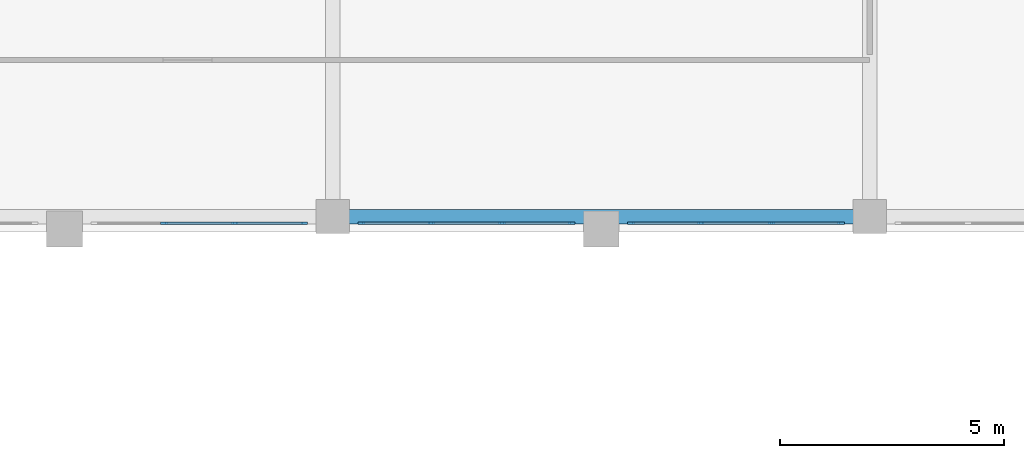
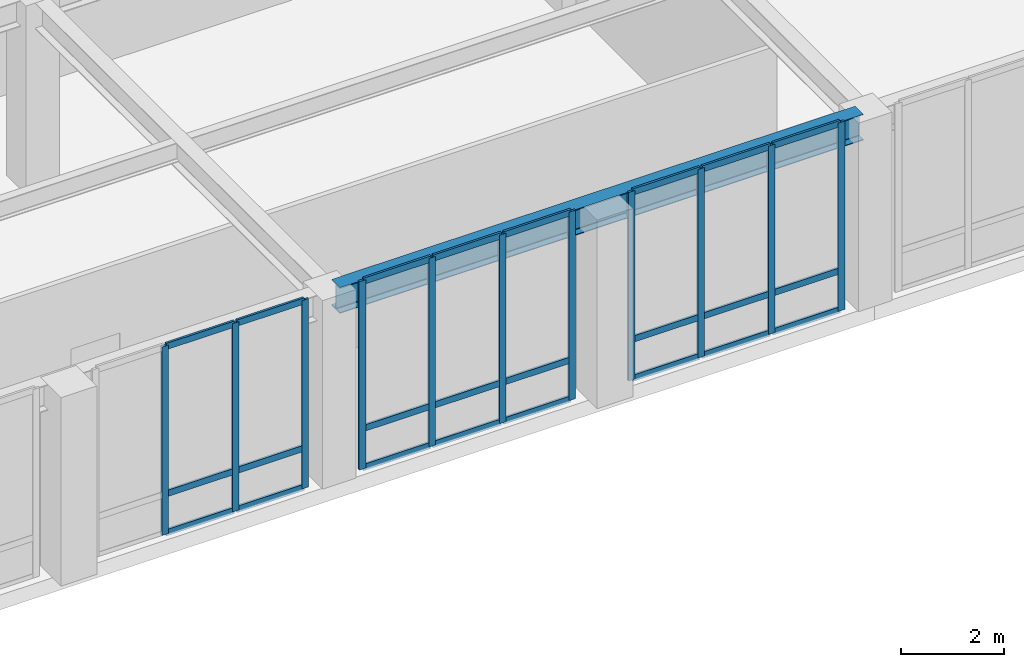
# One storey, part 38 of 79: 35 members, 1 beam, 3 elements without a shape of their own.
"""IFC4 building model written with IfcOpenShell, lengths in metres."""

from ifc_helpers import new_model, si_unit, derived_unit, direction, frame, origin, origin_2d, place, context, subcontext, project, spatial, rectangle, i_section, extrude, material, layer, layer_set, material_profile, profile_set, type_object, element, aggregate, save


model = new_model("IFC4")

# Units and contexts
model_context = context("Model", 3, precision=1e-05, world=origin(), true_north=direction((0.0, 1.0)))
body_context = subcontext(model_context, "Body", "Model", "MODEL_VIEW")
ifc_project = project(units=[si_unit("LENGTHUNIT", "METRE"), si_unit("AREAUNIT", "SQUARE_METRE"), si_unit("VOLUMEUNIT", "CUBIC_METRE"), si_unit("PLANEANGLEUNIT", "RADIAN"), si_unit("MASSUNIT", "GRAM", prefix="KILO"), derived_unit("THERMALTRANSMITTANCEUNIT", [(si_unit("MASSUNIT", "GRAM", prefix="KILO"), 1), (si_unit("TIMEUNIT", "SECOND"), -3), (si_unit("THERMODYNAMICTEMPERATUREUNIT", "KELVIN"), -1)])], contexts=[model_context])

# Site, building, storey
site_placement = place(None, origin())
site = spatial("IfcSite", under=ifc_project, at=site_placement, CompositionType="ELEMENT")
building_placement = place(site_placement, origin())
building = spatial("IfcBuilding", under=site, at=building_placement, Name="Valcora Ridge Arena", CompositionType="ELEMENT")
storey_placement = place(building_placement, frame((0.0, 0.0, 16.199951171875)))
storey = spatial("IfcBuildingStorey", under=building, at=storey_placement, Name="L03", CompositionType="ELEMENT", Elevation=16.199951171875)

# Beam
ifc_material_1 = material(Name="Steel ASTM A572 Grade 50", Category="steel")
ifc_material_profile_1 = material_profile(ifc_material_1, i_section(OverallWidth=0.324951171875, OverallDepth=0.612060546875, WebThickness=0.0126953125, FlangeThickness=0.01904296875, FilletRadius=0.01806640625, at=origin_2d()), Name="W24X104")
ifc_profile_set_1 = profile_set([ifc_material_profile_1], Name="Steel ASTM A572 Grade 50")
beam_type = type_object("IfcBeamType", Name="TY-BEAM-G-W24X104-X", PredefinedType="BEAM", material=ifc_profile_set_1)
beam_placement = place(storey_placement, frame((132.139892578125, 108.699951171875, 4.154052734375), z_axis=(1.0, 0.0, 0.0), x_axis=(0.0, 1.0, 0.0)))
element("IfcBeam", 1, at=beam_placement, inside=storey, type_object=beam_type, Name="G-W24X104-X BEM-G-W24X104-X-0106", PredefinedType="BEAM", context=body_context, shape_type="SweptSolid", body=[
    extrude(i_section(OverallWidth=0.324951171875, OverallDepth=0.612060546875, WebThickness=0.0126953125, FlangeThickness=0.01904296875, FilletRadius=0.01806640625, at=origin_2d()), origin(), (0.0, 0.0, 1.0), 11.72021484375),
])

# Curtain wall, members
ifc_material_2 = material(Name="Anodised dark bronze architectural aluminium 6063-T6", Category="aluminium")
ifc_layer = layer(ifc_material_2, 0.14990234375, Name="Anodised dark bronze architectural aluminium 6063-T6")
ifc_layer_set = layer_set([ifc_layer], Name="Anodised dark bronze architectural aluminium 6063-T6")
curtain_wall_type = type_object("IfcCurtainWallType", Name="TY-CURTAINWALL-CW-V5-MED-047X45", PredefinedType="NOTDEFINED", material=ifc_layer_set)
curtain_wall_1_placement = place(storey_placement, origin())
curtain_wall_1 = element("IfcCurtainWall", 2, at=curtain_wall_1_placement, inside=storey, type_object=curtain_wall_type, Name="CW-V5-MED-047X45 CW-0337", PredefinedType="NOTDEFINED")
ifc_material_profile_2 = material_profile(ifc_material_2, rectangle(XDim=0.050048828125, YDim=0.14990234375, at=origin_2d()), Name="ALU MULLION 50x150")
ifc_profile_set_2 = profile_set([ifc_material_profile_2], Name="Anodised dark bronze architectural aluminium 6063-T6")
member_type_1 = type_object("IfcMemberType", Name="TY-MEM-CWM-50x150", PredefinedType="MULLION", material=ifc_profile_set_2)
member_1_placement = place(storey_placement, frame((128.2216796875, 108.550048828125, 0.0), z_axis=(0.0, 0.0, 1.0), x_axis=(0.0, 1.0, 0.0)))
member_1 = element("IfcMember", 3, at=member_1_placement, type_object=member_type_1, Name="CW-0337/CWM-50x150/M01", PredefinedType="MULLION", context=body_context, shape_type="SweptSolid", body=[
    extrude(rectangle(XDim=0.050048828125, YDim=0.14990234375, at=origin_2d()), origin(), (0.0, 0.0, 1.0), 4.4599609375),
])
member_2_placement = place(storey_placement, frame((129.80322265625, 108.550048828125, 0.0), z_axis=(0.0, 0.0, 1.0), x_axis=(0.0, 1.0, 0.0)))
member_2 = element("IfcMember", 4, at=member_2_placement, type_object=member_type_1, Name="CW-0337/CWM-50x150/M02", PredefinedType="MULLION", context=body_context, shape_type="SweptSolid", body=[
    extrude(rectangle(XDim=0.050048828125, YDim=0.14990234375, at=origin_2d()), origin(), (0.0, 0.0, 1.0), 4.4599609375),
])
member_3_placement = place(storey_placement, frame((131.360107421875, 108.550048828125, 0.0), z_axis=(0.0, 0.0, 1.0), x_axis=(0.0, 1.0, 0.0)))
member_3 = element("IfcMember", 5, at=member_3_placement, type_object=member_type_1, Name="CW-0337/CWM-50x150/M03", PredefinedType="MULLION", context=body_context, shape_type="SweptSolid", body=[
    extrude(rectangle(XDim=0.050048828125, YDim=0.14990234375, at=origin_2d()), origin(), (0.0, 0.0, 1.0), 4.4599609375),
])

curtain_wall_2_placement = place(storey_placement, origin())
curtain_wall_2 = element("IfcCurtainWall", 6, at=curtain_wall_2_placement, inside=storey, type_object=curtain_wall_type, Name="CW-V5-MED-047X45 CW-0338", PredefinedType="NOTDEFINED")
member_4_placement = place(storey_placement, frame((132.639892578125, 108.550048828125, 0.0), z_axis=(0.0, 0.0, 1.0), x_axis=(0.0, 1.0, 0.0)))
member_4 = element("IfcMember", 7, at=member_4_placement, type_object=member_type_1, Name="CW-0338/CWM-50x150/M00", PredefinedType="MULLION", context=body_context, shape_type="SweptSolid", body=[
    extrude(rectangle(XDim=0.050048828125, YDim=0.14990234375, at=origin_2d()), origin(), (0.0, 0.0, 1.0), 4.4599609375),
])
member_5_placement = place(storey_placement, frame((134.19677734375, 108.550048828125, 0.0), z_axis=(0.0, 0.0, 1.0), x_axis=(0.0, 1.0, 0.0)))
member_5 = element("IfcMember", 8, at=member_5_placement, type_object=member_type_1, Name="CW-0338/CWM-50x150/M01", PredefinedType="MULLION", context=body_context, shape_type="SweptSolid", body=[
    extrude(rectangle(XDim=0.050048828125, YDim=0.14990234375, at=origin_2d()), origin(), (0.0, 0.0, 1.0), 4.4599609375),
])
member_6_placement = place(storey_placement, frame((135.7783203125, 108.550048828125, 0.0), z_axis=(0.0, 0.0, 1.0), x_axis=(0.0, 1.0, 0.0)))
member_6 = element("IfcMember", 9, at=member_6_placement, type_object=member_type_1, Name="CW-0338/CWM-50x150/M02", PredefinedType="MULLION", context=body_context, shape_type="SweptSolid", body=[
    extrude(rectangle(XDim=0.050048828125, YDim=0.14990234375, at=origin_2d()), origin(), (0.0, 0.0, 1.0), 4.4599609375),
])
member_7_placement = place(storey_placement, frame((137.3349609375, 108.550048828125, 0.0), z_axis=(0.0, 0.0, 1.0), x_axis=(0.0, 1.0, 0.0)))
member_7 = element("IfcMember", 10, at=member_7_placement, type_object=member_type_1, Name="CW-0338/CWM-50x150/M03", PredefinedType="MULLION", context=body_context, shape_type="SweptSolid", body=[
    extrude(rectangle(XDim=0.050048828125, YDim=0.14990234375, at=origin_2d()), origin(), (0.0, 0.0, 1.0), 4.4599609375),
])

curtain_wall_3_placement = place(storey_placement, origin())
curtain_wall_3 = element("IfcCurtainWall", 11, at=curtain_wall_3_placement, inside=storey, type_object=curtain_wall_type, Name="CW-V5-MED-047X45 CW-0339", PredefinedType="NOTDEFINED")
member_8_placement = place(storey_placement, frame((138.6650390625, 108.550048828125, 0.0), z_axis=(0.0, 0.0, 1.0), x_axis=(0.0, 1.0, 0.0)))
member_8 = element("IfcMember", 12, at=member_8_placement, type_object=member_type_1, Name="CW-0339/CWM-50x150/M00", PredefinedType="MULLION", context=body_context, shape_type="SweptSolid", body=[
    extrude(rectangle(XDim=0.050048828125, YDim=0.14990234375, at=origin_2d()), origin(), (0.0, 0.0, 1.0), 4.4599609375),
])
member_9_placement = place(storey_placement, frame((140.2216796875, 108.550048828125, 0.0), z_axis=(0.0, 0.0, 1.0), x_axis=(0.0, 1.0, 0.0)))
member_9 = element("IfcMember", 13, at=member_9_placement, type_object=member_type_1, Name="CW-0339/CWM-50x150/M01", PredefinedType="MULLION", context=body_context, shape_type="SweptSolid", body=[
    extrude(rectangle(XDim=0.050048828125, YDim=0.14990234375, at=origin_2d()), origin(), (0.0, 0.0, 1.0), 4.4599609375),
])
member_10_placement = place(storey_placement, frame((141.80322265625, 108.550048828125, 0.0), z_axis=(0.0, 0.0, 1.0), x_axis=(0.0, 1.0, 0.0)))
member_10 = element("IfcMember", 14, at=member_10_placement, type_object=member_type_1, Name="CW-0339/CWM-50x150/M02", PredefinedType="MULLION", context=body_context, shape_type="SweptSolid", body=[
    extrude(rectangle(XDim=0.050048828125, YDim=0.14990234375, at=origin_2d()), origin(), (0.0, 0.0, 1.0), 4.4599609375),
])
member_11_placement = place(storey_placement, frame((143.360107421875, 108.550048828125, 0.0), z_axis=(0.0, 0.0, 1.0), x_axis=(0.0, 1.0, 0.0)))
member_11 = element("IfcMember", 15, at=member_11_placement, type_object=member_type_1, Name="CW-0339/CWM-50x150/M03", PredefinedType="MULLION", context=body_context, shape_type="SweptSolid", body=[
    extrude(rectangle(XDim=0.050048828125, YDim=0.14990234375, at=origin_2d()), origin(), (0.0, 0.0, 1.0), 4.4599609375),
])

# Member
ifc_material_profile_3 = material_profile(ifc_material_2, rectangle(XDim=0.050048828125, YDim=0.14990234375, at=origin_2d()), Name="ALU TRANSOM 50x150")
ifc_profile_set_3 = profile_set([ifc_material_profile_3], Name="Anodised dark bronze architectural aluminium 6063-T6")
member_type_2 = type_object("IfcMemberType", Name="TY-MEM-CWT-50x150", PredefinedType="USERDEFINED", material=ifc_profile_set_3)
member_12_placement = place(storey_placement, frame((128.2470703125, 108.550048828125, 0.025146484375), z_axis=(1.0, 0.0, 0.0), x_axis=(0.0, 1.0, 0.0)))
member_12 = element("IfcMember", 16, at=member_12_placement, type_object=member_type_2, Name="CW-0337/CWT-50x150/T01-00", ObjectType="TRANSOM", PredefinedType="USERDEFINED", context=body_context, shape_type="SweptSolid", body=[
    extrude(rectangle(XDim=0.050048828125, YDim=0.14990234375, at=origin_2d()), origin(), (0.0, 0.0, 1.0), 1.531005859375),
])

member_13_placement = place(storey_placement, frame((128.2470703125, 108.550048828125, 0.949951171875), z_axis=(1.0, 0.0, 0.0), x_axis=(0.0, 1.0, 0.0)))
member_13 = element("IfcMember", 17, at=member_13_placement, type_object=member_type_2, Name="CW-0337/CWT-50x150/T01-01", ObjectType="TRANSOM", PredefinedType="USERDEFINED", context=body_context, shape_type="SweptSolid", body=[
    extrude(rectangle(XDim=0.050048828125, YDim=0.14990234375, at=origin_2d()), origin(), (0.0, 0.0, 1.0), 1.531005859375),
])

member_14_placement = place(storey_placement, frame((128.2470703125, 108.550048828125, 4.43505859375), z_axis=(1.0, 0.0, 0.0), x_axis=(0.0, 1.0, 0.0)))
member_14 = element("IfcMember", 18, at=member_14_placement, type_object=member_type_2, Name="CW-0337/CWT-50x150/T01-02", ObjectType="TRANSOM", PredefinedType="USERDEFINED", context=body_context, shape_type="SweptSolid", body=[
    extrude(rectangle(XDim=0.050048828125, YDim=0.14990234375, at=origin_2d()), origin(), (0.0, 0.0, 1.0), 1.531005859375),
])

member_15_placement = place(storey_placement, frame((129.827880859375, 108.550048828125, 0.025146484375), z_axis=(1.0, 0.0, 0.0), x_axis=(0.0, 1.0, 0.0)))
member_15 = element("IfcMember", 19, at=member_15_placement, type_object=member_type_2, Name="CW-0337/CWT-50x150/T02-00", ObjectType="TRANSOM", PredefinedType="USERDEFINED", context=body_context, shape_type="SweptSolid", body=[
    extrude(rectangle(XDim=0.050048828125, YDim=0.14990234375, at=origin_2d()), origin(), (0.0, 0.0, 1.0), 1.507080078125),
])

member_16_placement = place(storey_placement, frame((129.827880859375, 108.550048828125, 0.949951171875), z_axis=(1.0, 0.0, 0.0), x_axis=(0.0, 1.0, 0.0)))
member_16 = element("IfcMember", 20, at=member_16_placement, type_object=member_type_2, Name="CW-0337/CWT-50x150/T02-01", ObjectType="TRANSOM", PredefinedType="USERDEFINED", context=body_context, shape_type="SweptSolid", body=[
    extrude(rectangle(XDim=0.050048828125, YDim=0.14990234375, at=origin_2d()), origin(), (0.0, 0.0, 1.0), 1.507080078125),
])

member_17_placement = place(storey_placement, frame((129.827880859375, 108.550048828125, 4.43505859375), z_axis=(1.0, 0.0, 0.0), x_axis=(0.0, 1.0, 0.0)))
member_17 = element("IfcMember", 21, at=member_17_placement, type_object=member_type_2, Name="CW-0337/CWT-50x150/T02-02", ObjectType="TRANSOM", PredefinedType="USERDEFINED", context=body_context, shape_type="SweptSolid", body=[
    extrude(rectangle(XDim=0.050048828125, YDim=0.14990234375, at=origin_2d()), origin(), (0.0, 0.0, 1.0), 1.507080078125),
])

aggregate(curtain_wall_1, [member_1, member_2, member_3, member_12, member_13, member_14, member_15, member_16, member_17])

member_18_placement = place(storey_placement, frame((132.6650390625, 108.550048828125, 0.025146484375), z_axis=(1.0, 0.0, 0.0), x_axis=(0.0, 1.0, 0.0)))
member_18 = element("IfcMember", 22, at=member_18_placement, type_object=member_type_2, Name="CW-0338/CWT-50x150/T00-00", ObjectType="TRANSOM", PredefinedType="USERDEFINED", context=body_context, shape_type="SweptSolid", body=[
    extrude(rectangle(XDim=0.050048828125, YDim=0.14990234375, at=origin_2d()), origin(), (0.0, 0.0, 1.0), 1.507080078125),
])

member_19_placement = place(storey_placement, frame((132.6650390625, 108.550048828125, 0.949951171875), z_axis=(1.0, 0.0, 0.0), x_axis=(0.0, 1.0, 0.0)))
member_19 = element("IfcMember", 23, at=member_19_placement, type_object=member_type_2, Name="CW-0338/CWT-50x150/T00-01", ObjectType="TRANSOM", PredefinedType="USERDEFINED", context=body_context, shape_type="SweptSolid", body=[
    extrude(rectangle(XDim=0.050048828125, YDim=0.14990234375, at=origin_2d()), origin(), (0.0, 0.0, 1.0), 1.507080078125),
])

member_20_placement = place(storey_placement, frame((132.6650390625, 108.550048828125, 4.43505859375), z_axis=(1.0, 0.0, 0.0), x_axis=(0.0, 1.0, 0.0)))
member_20 = element("IfcMember", 24, at=member_20_placement, type_object=member_type_2, Name="CW-0338/CWT-50x150/T00-02", ObjectType="TRANSOM", PredefinedType="USERDEFINED", context=body_context, shape_type="SweptSolid", body=[
    extrude(rectangle(XDim=0.050048828125, YDim=0.14990234375, at=origin_2d()), origin(), (0.0, 0.0, 1.0), 1.507080078125),
])

member_21_placement = place(storey_placement, frame((134.221923828125, 108.550048828125, 0.025146484375), z_axis=(1.0, 0.0, 0.0), x_axis=(0.0, 1.0, 0.0)))
member_21 = element("IfcMember", 25, at=member_21_placement, type_object=member_type_2, Name="CW-0338/CWT-50x150/T01-00", ObjectType="TRANSOM", PredefinedType="USERDEFINED", context=body_context, shape_type="SweptSolid", body=[
    extrude(rectangle(XDim=0.050048828125, YDim=0.14990234375, at=origin_2d()), origin(), (0.0, 0.0, 1.0), 1.531005859375),
])

member_22_placement = place(storey_placement, frame((134.221923828125, 108.550048828125, 0.949951171875), z_axis=(1.0, 0.0, 0.0), x_axis=(0.0, 1.0, 0.0)))
member_22 = element("IfcMember", 26, at=member_22_placement, type_object=member_type_2, Name="CW-0338/CWT-50x150/T01-01", ObjectType="TRANSOM", PredefinedType="USERDEFINED", context=body_context, shape_type="SweptSolid", body=[
    extrude(rectangle(XDim=0.050048828125, YDim=0.14990234375, at=origin_2d()), origin(), (0.0, 0.0, 1.0), 1.531005859375),
])

member_23_placement = place(storey_placement, frame((134.221923828125, 108.550048828125, 4.43505859375), z_axis=(1.0, 0.0, 0.0), x_axis=(0.0, 1.0, 0.0)))
member_23 = element("IfcMember", 27, at=member_23_placement, type_object=member_type_2, Name="CW-0338/CWT-50x150/T01-02", ObjectType="TRANSOM", PredefinedType="USERDEFINED", context=body_context, shape_type="SweptSolid", body=[
    extrude(rectangle(XDim=0.050048828125, YDim=0.14990234375, at=origin_2d()), origin(), (0.0, 0.0, 1.0), 1.531005859375),
])

member_24_placement = place(storey_placement, frame((135.802978515625, 108.550048828125, 0.025146484375), z_axis=(1.0, 0.0, 0.0), x_axis=(0.0, 1.0, 0.0)))
member_24 = element("IfcMember", 28, at=member_24_placement, type_object=member_type_2, Name="CW-0338/CWT-50x150/T02-00", ObjectType="TRANSOM", PredefinedType="USERDEFINED", context=body_context, shape_type="SweptSolid", body=[
    extrude(rectangle(XDim=0.050048828125, YDim=0.14990234375, at=origin_2d()), origin(), (0.0, 0.0, 1.0), 1.507080078125),
])

member_25_placement = place(storey_placement, frame((135.802978515625, 108.550048828125, 0.949951171875), z_axis=(1.0, 0.0, 0.0), x_axis=(0.0, 1.0, 0.0)))
member_25 = element("IfcMember", 29, at=member_25_placement, type_object=member_type_2, Name="CW-0338/CWT-50x150/T02-01", ObjectType="TRANSOM", PredefinedType="USERDEFINED", context=body_context, shape_type="SweptSolid", body=[
    extrude(rectangle(XDim=0.050048828125, YDim=0.14990234375, at=origin_2d()), origin(), (0.0, 0.0, 1.0), 1.507080078125),
])

member_26_placement = place(storey_placement, frame((135.802978515625, 108.550048828125, 4.43505859375), z_axis=(1.0, 0.0, 0.0), x_axis=(0.0, 1.0, 0.0)))
member_26 = element("IfcMember", 30, at=member_26_placement, type_object=member_type_2, Name="CW-0338/CWT-50x150/T02-02", ObjectType="TRANSOM", PredefinedType="USERDEFINED", context=body_context, shape_type="SweptSolid", body=[
    extrude(rectangle(XDim=0.050048828125, YDim=0.14990234375, at=origin_2d()), origin(), (0.0, 0.0, 1.0), 1.507080078125),
])

aggregate(curtain_wall_2, [member_4, member_5, member_6, member_7, member_18, member_19, member_20, member_21, member_22, member_23, member_24, member_25, member_26])

member_27_placement = place(storey_placement, frame((138.68994140625, 108.550048828125, 0.025146484375), z_axis=(1.0, 0.0, 0.0), x_axis=(0.0, 1.0, 0.0)))
member_27 = element("IfcMember", 31, at=member_27_placement, type_object=member_type_2, Name="CW-0339/CWT-50x150/T00-00", ObjectType="TRANSOM", PredefinedType="USERDEFINED", context=body_context, shape_type="SweptSolid", body=[
    extrude(rectangle(XDim=0.050048828125, YDim=0.14990234375, at=origin_2d()), origin(), (0.0, 0.0, 1.0), 1.507080078125),
])

member_28_placement = place(storey_placement, frame((138.68994140625, 108.550048828125, 0.949951171875), z_axis=(1.0, 0.0, 0.0), x_axis=(0.0, 1.0, 0.0)))
member_28 = element("IfcMember", 32, at=member_28_placement, type_object=member_type_2, Name="CW-0339/CWT-50x150/T00-01", ObjectType="TRANSOM", PredefinedType="USERDEFINED", context=body_context, shape_type="SweptSolid", body=[
    extrude(rectangle(XDim=0.050048828125, YDim=0.14990234375, at=origin_2d()), origin(), (0.0, 0.0, 1.0), 1.507080078125),
])

member_29_placement = place(storey_placement, frame((138.68994140625, 108.550048828125, 4.43505859375), z_axis=(1.0, 0.0, 0.0), x_axis=(0.0, 1.0, 0.0)))
member_29 = element("IfcMember", 33, at=member_29_placement, type_object=member_type_2, Name="CW-0339/CWT-50x150/T00-02", ObjectType="TRANSOM", PredefinedType="USERDEFINED", context=body_context, shape_type="SweptSolid", body=[
    extrude(rectangle(XDim=0.050048828125, YDim=0.14990234375, at=origin_2d()), origin(), (0.0, 0.0, 1.0), 1.507080078125),
])

member_30_placement = place(storey_placement, frame((140.2470703125, 108.550048828125, 0.025146484375), z_axis=(1.0, 0.0, 0.0), x_axis=(0.0, 1.0, 0.0)))
member_30 = element("IfcMember", 34, at=member_30_placement, type_object=member_type_2, Name="CW-0339/CWT-50x150/T01-00", ObjectType="TRANSOM", PredefinedType="USERDEFINED", context=body_context, shape_type="SweptSolid", body=[
    extrude(rectangle(XDim=0.050048828125, YDim=0.14990234375, at=origin_2d()), origin(), (0.0, 0.0, 1.0), 1.531005859375),
])

member_31_placement = place(storey_placement, frame((140.2470703125, 108.550048828125, 0.949951171875), z_axis=(1.0, 0.0, 0.0), x_axis=(0.0, 1.0, 0.0)))
member_31 = element("IfcMember", 35, at=member_31_placement, type_object=member_type_2, Name="CW-0339/CWT-50x150/T01-01", ObjectType="TRANSOM", PredefinedType="USERDEFINED", context=body_context, shape_type="SweptSolid", body=[
    extrude(rectangle(XDim=0.050048828125, YDim=0.14990234375, at=origin_2d()), origin(), (0.0, 0.0, 1.0), 1.531005859375),
])

member_32_placement = place(storey_placement, frame((140.2470703125, 108.550048828125, 4.43505859375), z_axis=(1.0, 0.0, 0.0), x_axis=(0.0, 1.0, 0.0)))
member_32 = element("IfcMember", 36, at=member_32_placement, type_object=member_type_2, Name="CW-0339/CWT-50x150/T01-02", ObjectType="TRANSOM", PredefinedType="USERDEFINED", context=body_context, shape_type="SweptSolid", body=[
    extrude(rectangle(XDim=0.050048828125, YDim=0.14990234375, at=origin_2d()), origin(), (0.0, 0.0, 1.0), 1.531005859375),
])

member_33_placement = place(storey_placement, frame((141.827880859375, 108.550048828125, 0.025146484375), z_axis=(1.0, 0.0, 0.0), x_axis=(0.0, 1.0, 0.0)))
member_33 = element("IfcMember", 37, at=member_33_placement, type_object=member_type_2, Name="CW-0339/CWT-50x150/T02-00", ObjectType="TRANSOM", PredefinedType="USERDEFINED", context=body_context, shape_type="SweptSolid", body=[
    extrude(rectangle(XDim=0.050048828125, YDim=0.14990234375, at=origin_2d()), origin(), (0.0, 0.0, 1.0), 1.507080078125),
])

member_34_placement = place(storey_placement, frame((141.827880859375, 108.550048828125, 0.949951171875), z_axis=(1.0, 0.0, 0.0), x_axis=(0.0, 1.0, 0.0)))
member_34 = element("IfcMember", 38, at=member_34_placement, type_object=member_type_2, Name="CW-0339/CWT-50x150/T02-01", ObjectType="TRANSOM", PredefinedType="USERDEFINED", context=body_context, shape_type="SweptSolid", body=[
    extrude(rectangle(XDim=0.050048828125, YDim=0.14990234375, at=origin_2d()), origin(), (0.0, 0.0, 1.0), 1.507080078125),
])

member_35_placement = place(storey_placement, frame((141.827880859375, 108.550048828125, 4.43505859375), z_axis=(1.0, 0.0, 0.0), x_axis=(0.0, 1.0, 0.0)))
member_35 = element("IfcMember", 39, at=member_35_placement, type_object=member_type_2, Name="CW-0339/CWT-50x150/T02-02", ObjectType="TRANSOM", PredefinedType="USERDEFINED", context=body_context, shape_type="SweptSolid", body=[
    extrude(rectangle(XDim=0.050048828125, YDim=0.14990234375, at=origin_2d()), origin(), (0.0, 0.0, 1.0), 1.507080078125),
])

aggregate(curtain_wall_3, [member_8, member_9, member_10, member_11, member_27, member_28, member_29, member_30, member_31, member_32, member_33, member_34, member_35])

save(model, "model.ifc")
